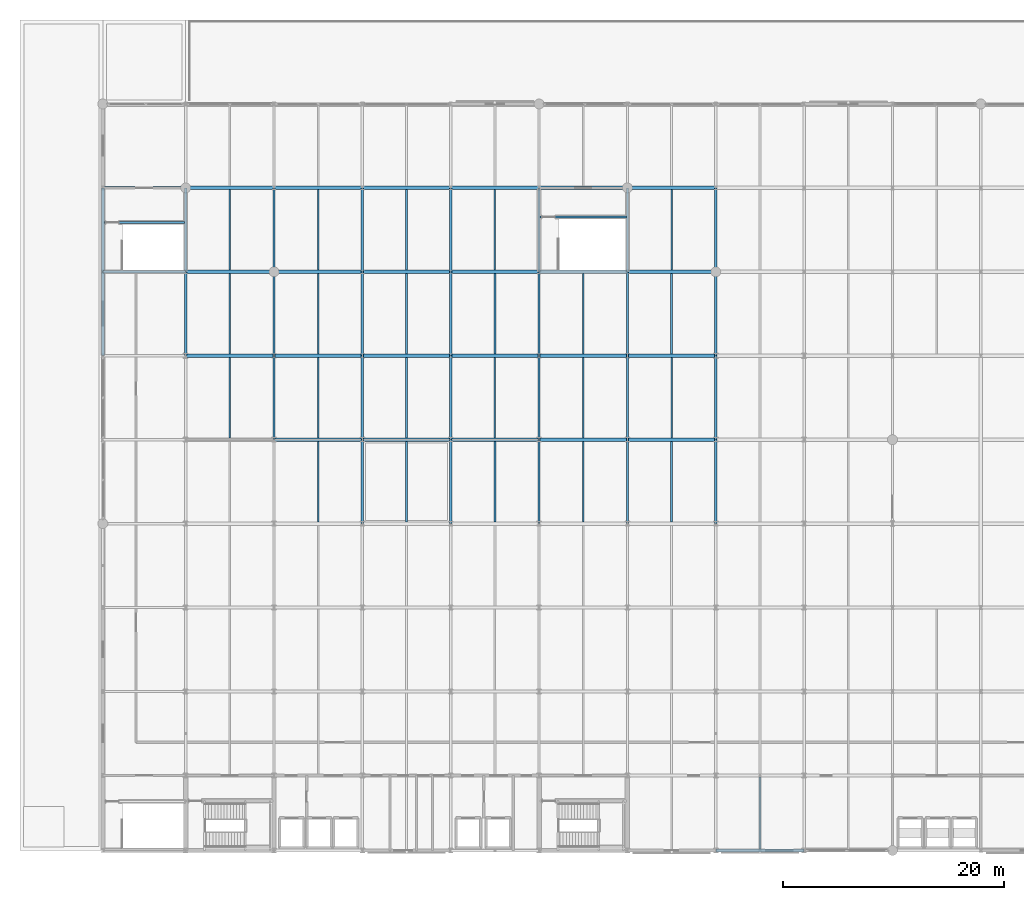
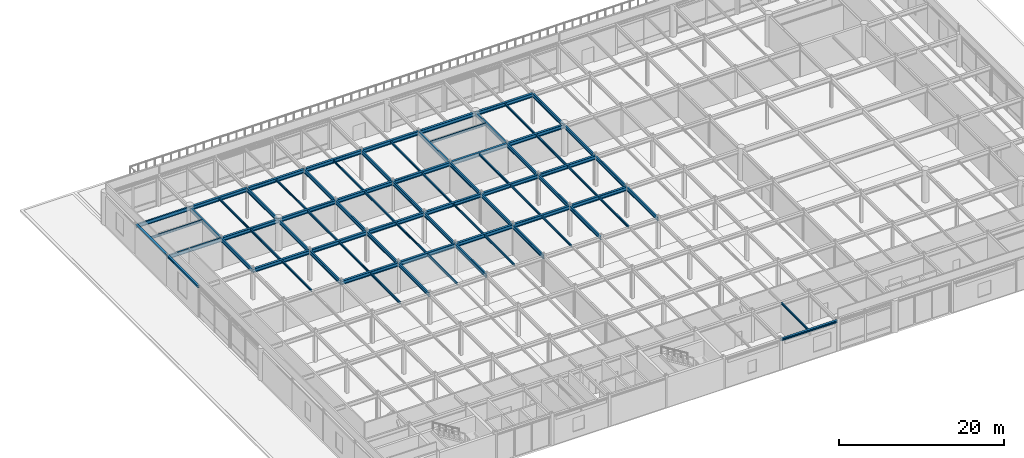
# One storey, part 16 of 43: 78 beams.
"""IFC4 building model written with IfcOpenShell, lengths in metres."""

from ifc_helpers import new_model, si_unit, direction, frame, origin, origin_2d, place, context, subcontext, project, spatial, i_section, extrude, material, material_profile, profile_set, type_object, element, save


model = new_model("IFC4")

# Units and contexts
model_context = context("Model", 3, precision=1e-05, world=origin(), true_north=direction((0.0, 1.0)))
body_context = subcontext(model_context, "Body", "Model", "MODEL_VIEW")
ifc_project = project(units=[si_unit("LENGTHUNIT", "METRE"), si_unit("AREAUNIT", "SQUARE_METRE"), si_unit("VOLUMEUNIT", "CUBIC_METRE"), si_unit("PLANEANGLEUNIT", "RADIAN"), si_unit("MASSUNIT", "GRAM", prefix="KILO")], contexts=[model_context])

# Site, building, storey
site_placement = place(None, origin())
site = spatial("IfcSite", under=ifc_project, at=site_placement, CompositionType="ELEMENT")
building_placement = place(site_placement, origin())
building = spatial("IfcBuilding", under=site, at=building_placement, Name="Shalkamar Park Central Library", CompositionType="ELEMENT")
storey_placement = place(building_placement, frame((0.0, 0.0, 15.60009765625)))
storey = spatial("IfcBuildingStorey", under=building, at=storey_placement, Name="L04", CompositionType="ELEMENT", Elevation=15.60009765625)

# Beams
ifc_material = material(Name="Steel S355", Category="steel")
ifc_material_profile_1 = material_profile(ifc_material, i_section(OverallWidth=0.14990234375, OverallDepth=0.300048828125, WebThickness=0.007080078125, FlangeThickness=0.0107421875, FilletRadius=0.014892578125, at=origin_2d()), Name="IPE 300")
ifc_profile_set_1 = profile_set([ifc_material_profile_1], Name="Steel S355")
beam_type_1 = type_object("IfcBeamType", Name="Composite Floor Joist IPE300", PredefinedType="JOIST", material=ifc_profile_set_1)
for number, where, z_axis, x_axis, name in (
    (1, (169.0, 285.748046875, 4.329833984375), (0.0, 1.0, 0.0), (-1.0, 0.0, 0.0), "Composite Joist 07/G-1 (L04)"),
    (2, (169.0, 300.947998046875, 4.329833984375), (0.0, 1.0, 0.0), (-1.0, 0.0, 0.0), "Composite Joist 07/J-1 (L04)"),
    (3, (177.0, 285.748046875, 4.329833984375), (0.0, 1.0, 0.0), (-1.0, 0.0, 0.0), "Composite Joist 08/G-1 (L04)"),
    (4, (177.0, 300.947998046875, 4.329833984375), (0.0, 1.0, 0.0), (-1.0, 0.0, 0.0), "Composite Joist 08/J-1 (L04)"),
    (5, (185.0, 285.748046875, 4.329833984375), (0.0, 1.0, 0.0), (-1.0, 0.0, 0.0), "Composite Joist 09/G-1 (L04)"),
    (6, (185.0, 300.947998046875, 4.329833984375), (0.0, 1.0, 0.0), (-1.0, 0.0, 0.0), "Composite Joist 09/J-1 (L04)"),
    (7, (193.0, 285.748046875, 4.329833984375), (0.0, 1.0, 0.0), (-1.0, 0.0, 0.0), "Composite Joist 10/G-1 (L04)"),
    (8, (193.0, 300.947998046875, 4.329833984375), (0.0, 1.0, 0.0), (-1.0, 0.0, 0.0), "Composite Joist 10/J-1 (L04)"),
    (9, (201.0, 285.748046875, 4.329833984375), (0.0, 1.0, 0.0), (-1.0, 0.0, 0.0), "Composite Joist 11/G-1 (L04)"),
    (10, (209.0, 285.748046875, 4.329833984375), (0.0, 1.0, 0.0), (-1.0, 0.0, 0.0), "Composite Joist 12/G-1 (L04)"),
    (11, (209.0, 300.947998046875, 4.329833984375), (0.0, 1.0, 0.0), (-1.0, 0.0, 0.0), "Composite Joist 12/J-1 (L04)"),
):
    element("IfcBeam", number, at=place(storey_placement, frame(where, z_axis=z_axis, x_axis=x_axis)), inside=storey, type_object=beam_type_1, Name=name, PredefinedType="JOIST", context=body_context, shape_type="SweptSolid", body=[
        extrude(i_section(OverallWidth=0.14990234375, OverallDepth=0.300048828125, WebThickness=0.007080078125, FlangeThickness=0.0107421875, FilletRadius=0.014892578125, at=origin_2d()), origin(), (0.0, 0.0, 1.0), 7.303955078125),
    ])
beam_1_placement = place(storey_placement, frame((217.0, 248.548095703125, 4.329833984375), z_axis=(0.0, 1.0, 0.0), x_axis=(-1.0, 0.0, 0.0)))
element("IfcBeam", 12, at=beam_1_placement, inside=storey, type_object=beam_type_1, Name="Composite Joist 13/B-1 (L04)", PredefinedType="JOIST", context=body_context, shape_type="SweptSolid", body=[
    extrude(i_section(OverallWidth=0.14990234375, OverallDepth=0.300048828125, WebThickness=0.007080078125, FlangeThickness=0.0107421875, FilletRadius=0.014892578125, at=origin_2d()), origin(), (0.0, 0.0, 1.0), 6.50390625),
])
ifc_material_profile_2 = material_profile(ifc_material, i_section(OverallWidth=0.159912109375, OverallDepth=0.330078125, WebThickness=0.007568359375, FlangeThickness=0.011474609375, FilletRadius=0.01806640625, at=origin_2d()), Name="IPE 330")
ifc_profile_set_2 = profile_set([ifc_material_profile_2], Name="Steel S355")
beam_type_2 = type_object("IfcBeamType", Name="Composite Floor Joist IPE330", PredefinedType="JOIST", material=ifc_profile_set_2)
beam_2_placement = place(storey_placement, frame((169.0, 293.347900390625, 4.31494140625), z_axis=(0.0, 1.0, 0.0), x_axis=(-1.0, 0.0, 0.0)))
element("IfcBeam", 13, at=beam_2_placement, inside=storey, type_object=beam_type_2, Name="Composite Joist 07/H-1 (L04)", PredefinedType="JOIST", context=body_context, shape_type="SweptSolid", body=[
    extrude(i_section(OverallWidth=0.159912109375, OverallDepth=0.330078125, WebThickness=0.007568359375, FlangeThickness=0.011474609375, FilletRadius=0.01806640625, at=origin_2d()), origin(), (0.0, 0.0, 1.0), 7.30419921875),
])
beam_3_placement = place(storey_placement, frame((177.0, 278.14794921875, 4.31494140625), z_axis=(0.0, 1.0, 0.0), x_axis=(-1.0, 0.0, 0.0)))
element("IfcBeam", 14, at=beam_3_placement, inside=storey, type_object=beam_type_2, Name="Composite Joist 08/F-1 (L04)", PredefinedType="JOIST", context=body_context, shape_type="SweptSolid", body=[
    extrude(i_section(OverallWidth=0.159912109375, OverallDepth=0.330078125, WebThickness=0.007568359375, FlangeThickness=0.011474609375, FilletRadius=0.01806640625, at=origin_2d()), origin(), (0.0, 0.0, 1.0), 7.303955078125),
])
beam_4_placement = place(storey_placement, frame((177.0, 293.347900390625, 4.31494140625), z_axis=(0.0, 1.0, 0.0), x_axis=(-1.0, 0.0, 0.0)))
element("IfcBeam", 15, at=beam_4_placement, inside=storey, type_object=beam_type_2, Name="Composite Joist 08/H-1 (L04)", PredefinedType="JOIST", context=body_context, shape_type="SweptSolid", body=[
    extrude(i_section(OverallWidth=0.159912109375, OverallDepth=0.330078125, WebThickness=0.007568359375, FlangeThickness=0.011474609375, FilletRadius=0.01806640625, at=origin_2d()), origin(), (0.0, 0.0, 1.0), 7.30419921875),
])
beam_5_placement = place(storey_placement, frame((185.0, 278.14794921875, 4.31494140625), z_axis=(0.0, 1.0, 0.0), x_axis=(-1.0, 0.0, 0.0)))
element("IfcBeam", 16, at=beam_5_placement, inside=storey, type_object=beam_type_2, Name="Composite Joist 09/F-1 (L04)", PredefinedType="JOIST", context=body_context, shape_type="SweptSolid", body=[
    extrude(i_section(OverallWidth=0.159912109375, OverallDepth=0.330078125, WebThickness=0.007568359375, FlangeThickness=0.011474609375, FilletRadius=0.01806640625, at=origin_2d()), origin(), (0.0, 0.0, 1.0), 7.303955078125),
])
beam_6_placement = place(storey_placement, frame((185.0, 293.347900390625, 4.31494140625), z_axis=(0.0, 1.0, 0.0), x_axis=(-1.0, 0.0, 0.0)))
element("IfcBeam", 17, at=beam_6_placement, inside=storey, type_object=beam_type_2, Name="Composite Joist 09/H-1 (L04)", PredefinedType="JOIST", context=body_context, shape_type="SweptSolid", body=[
    extrude(i_section(OverallWidth=0.159912109375, OverallDepth=0.330078125, WebThickness=0.007568359375, FlangeThickness=0.011474609375, FilletRadius=0.01806640625, at=origin_2d()), origin(), (0.0, 0.0, 1.0), 7.30419921875),
])
beam_7_placement = place(storey_placement, frame((193.0, 278.14794921875, 4.31494140625), z_axis=(0.0, 1.0, 0.0), x_axis=(-1.0, 0.0, 0.0)))
element("IfcBeam", 18, at=beam_7_placement, inside=storey, type_object=beam_type_2, Name="Composite Joist 10/F-1 (L04)", PredefinedType="JOIST", context=body_context, shape_type="SweptSolid", body=[
    extrude(i_section(OverallWidth=0.159912109375, OverallDepth=0.330078125, WebThickness=0.007568359375, FlangeThickness=0.011474609375, FilletRadius=0.01806640625, at=origin_2d()), origin(), (0.0, 0.0, 1.0), 7.303955078125),
])
beam_8_placement = place(storey_placement, frame((193.0, 293.347900390625, 4.31494140625), z_axis=(0.0, 1.0, 0.0), x_axis=(-1.0, 0.0, 0.0)))
element("IfcBeam", 19, at=beam_8_placement, inside=storey, type_object=beam_type_2, Name="Composite Joist 10/H-1 (L04)", PredefinedType="JOIST", context=body_context, shape_type="SweptSolid", body=[
    extrude(i_section(OverallWidth=0.159912109375, OverallDepth=0.330078125, WebThickness=0.007568359375, FlangeThickness=0.011474609375, FilletRadius=0.01806640625, at=origin_2d()), origin(), (0.0, 0.0, 1.0), 7.30419921875),
])
beam_9_placement = place(storey_placement, frame((201.0, 278.14794921875, 4.31494140625), z_axis=(0.0, 1.0, 0.0), x_axis=(-1.0, 0.0, 0.0)))
element("IfcBeam", 20, at=beam_9_placement, inside=storey, type_object=beam_type_2, Name="Composite Joist 11/F-1 (L04)", PredefinedType="JOIST", context=body_context, shape_type="SweptSolid", body=[
    extrude(i_section(OverallWidth=0.159912109375, OverallDepth=0.330078125, WebThickness=0.007568359375, FlangeThickness=0.011474609375, FilletRadius=0.01806640625, at=origin_2d()), origin(), (0.0, 0.0, 1.0), 7.303955078125),
])
beam_10_placement = place(storey_placement, frame((201.0, 293.347900390625, 4.31494140625), z_axis=(0.0, 1.0, 0.0), x_axis=(-1.0, 0.0, 0.0)))
element("IfcBeam", 21, at=beam_10_placement, inside=storey, type_object=beam_type_2, Name="Composite Joist 11/H-1 (L04)", PredefinedType="JOIST", context=body_context, shape_type="SweptSolid", body=[
    extrude(i_section(OverallWidth=0.159912109375, OverallDepth=0.330078125, WebThickness=0.007568359375, FlangeThickness=0.011474609375, FilletRadius=0.01806640625, at=origin_2d()), origin(), (0.0, 0.0, 1.0), 7.30419921875),
])
beam_11_placement = place(storey_placement, frame((209.0, 278.14794921875, 4.31494140625), z_axis=(0.0, 1.0, 0.0), x_axis=(-1.0, 0.0, 0.0)))
element("IfcBeam", 22, at=beam_11_placement, inside=storey, type_object=beam_type_2, Name="Composite Joist 12/F-1 (L04)", PredefinedType="JOIST", context=body_context, shape_type="SweptSolid", body=[
    extrude(i_section(OverallWidth=0.159912109375, OverallDepth=0.330078125, WebThickness=0.007568359375, FlangeThickness=0.011474609375, FilletRadius=0.01806640625, at=origin_2d()), origin(), (0.0, 0.0, 1.0), 7.303955078125),
])
beam_12_placement = place(storey_placement, frame((209.0, 293.347900390625, 4.31494140625), z_axis=(0.0, 1.0, 0.0), x_axis=(-1.0, 0.0, 0.0)))
element("IfcBeam", 23, at=beam_12_placement, inside=storey, type_object=beam_type_2, Name="Composite Joist 12/H-1 (L04)", PredefinedType="JOIST", context=body_context, shape_type="SweptSolid", body=[
    extrude(i_section(OverallWidth=0.159912109375, OverallDepth=0.330078125, WebThickness=0.007568359375, FlangeThickness=0.011474609375, FilletRadius=0.01806640625, at=origin_2d()), origin(), (0.0, 0.0, 1.0), 7.30419921875),
])
ifc_material_profile_3 = material_profile(ifc_material, i_section(OverallWidth=0.280029296875, OverallDepth=0.27001953125, WebThickness=0.008056640625, FlangeThickness=0.012939453125, FilletRadius=0.02392578125, at=origin_2d()), Name="HEA 280")
ifc_profile_set_3 = profile_set([ifc_material_profile_3], Name="Steel S355")
beam_type_3 = type_object("IfcBeamType", Name="Perimeter Spandrel Beam HEA280", PredefinedType="SPANDREL", material=ifc_profile_set_3)
beam_13_placement = place(storey_placement, frame((157.5, 293.199951171875, 4.414794921875), z_axis=(0.0, 1.0, 0.0), x_axis=(-1.0, 0.0, 0.0)))
element("IfcBeam", 24, at=beam_13_placement, inside=storey, type_object=beam_type_3, Name="Beam 06:H-J (L04)", PredefinedType="SPANDREL", context=body_context, shape_type="SweptSolid", body=[
    extrude(i_section(OverallWidth=0.280029296875, OverallDepth=0.27001953125, WebThickness=0.008056640625, FlangeThickness=0.012939453125, FilletRadius=0.02392578125, at=origin_2d()), origin(), (0.0, 0.0, 1.0), 7.60009765625),
])
beam_14_placement = place(storey_placement, frame((157.5, 300.800048828125, 4.414794921875), z_axis=(0.0, 1.0, 0.0), x_axis=(-1.0, 0.0, 0.0)))
element("IfcBeam", 25, at=beam_14_placement, inside=storey, type_object=beam_type_3, Name="Beam 06:J-K (L04)", PredefinedType="SPANDREL", context=body_context, shape_type="SweptSolid", body=[
    extrude(i_section(OverallWidth=0.280029296875, OverallDepth=0.27001953125, WebThickness=0.008056640625, FlangeThickness=0.012939453125, FilletRadius=0.02392578125, at=origin_2d()), origin(), (0.0, 0.0, 1.0), 7.599853515625),
])
ifc_material_profile_4 = material_profile(ifc_material, i_section(OverallWidth=0.300048828125, OverallDepth=0.31005859375, WebThickness=0.009033203125, FlangeThickness=0.015380859375, FilletRadius=0.027099609375, at=origin_2d()), Name="HEA 320")
ifc_profile_set_4 = profile_set([ifc_material_profile_4], Name="Steel S355")
beam_type_4 = type_object("IfcBeamType", Name="Perimeter Spandrel Beam HEA320", PredefinedType="SPANDREL", material=ifc_profile_set_4)
beam_15_placement = place(storey_placement, frame((213.0, 248.39990234375, 4.324951171875), z_axis=(1.0, 0.0, 0.0), x_axis=(0.0, 1.0, 0.0)))
element("IfcBeam", 26, at=beam_15_placement, inside=storey, type_object=beam_type_4, Name="Beam B:13-14 (L04)", PredefinedType="SPANDREL", context=body_context, shape_type="SweptSolid", body=[
    extrude(i_section(OverallWidth=0.300048828125, OverallDepth=0.31005859375, WebThickness=0.009033203125, FlangeThickness=0.015380859375, FilletRadius=0.027099609375, at=origin_2d()), origin(), (0.0, 0.0, 1.0), 8.0),
])
ifc_material_profile_5 = material_profile(ifc_material, i_section(OverallWidth=0.300048828125, OverallDepth=0.550048828125, WebThickness=0.014892578125, FlangeThickness=0.029052734375, FilletRadius=0.027099609375, at=origin_2d()), Name="HEB 550")
ifc_profile_set_5 = profile_set([ifc_material_profile_5], Name="Steel S355")
beam_type_5 = type_object("IfcBeamType", Name="Primary Girder HEB550", PredefinedType="BEAM", material=ifc_profile_set_5)
for number, where, z_axis, x_axis, name in (
    (27, (173.0, 285.60009765625, 4.204833984375), (1.0, 0.0, 0.0), (0.0, 1.0, 0.0), "Beam G:08-09 (L04)"),
    (28, (181.0, 285.60009765625, 4.204833984375), (1.0, 0.0, 0.0), (0.0, 1.0, 0.0), "Beam G:09-10 (L04)"),
    (29, (189.0, 285.60009765625, 4.204833984375), (1.0, 0.0, 0.0), (0.0, 1.0, 0.0), "Beam G:10-11 (L04)"),
    (30, (197.0, 285.60009765625, 4.204833984375), (1.0, 0.0, 0.0), (0.0, 1.0, 0.0), "Beam G:11-12 (L04)"),
    (31, (205.0, 285.60009765625, 4.204833984375), (1.0, 0.0, 0.0), (0.0, 1.0, 0.0), "Beam G:12-13 (L04)"),
    (32, (165.0, 293.199951171875, 4.204833984375), (1.0, 0.0, 0.0), (0.0, 1.0, 0.0), "Beam H:07-08 (L04)"),
    (33, (173.0, 293.199951171875, 4.204833984375), (1.0, 0.0, 0.0), (0.0, 1.0, 0.0), "Beam H:08-09 (L04)"),
    (34, (181.0, 293.199951171875, 4.204833984375), (1.0, 0.0, 0.0), (0.0, 1.0, 0.0), "Beam H:09-10 (L04)"),
    (35, (189.0, 293.199951171875, 4.204833984375), (1.0, 0.0, 0.0), (0.0, 1.0, 0.0), "Beam H:10-11 (L04)"),
    (36, (197.0, 293.199951171875, 4.204833984375), (1.0, 0.0, 0.0), (0.0, 1.0, 0.0), "Beam H:11-12 (L04)"),
    (37, (205.0, 293.199951171875, 4.204833984375), (1.0, 0.0, 0.0), (0.0, 1.0, 0.0), "Beam H:12-13 (L04)"),
    (38, (165.0, 300.800048828125, 4.204833984375), (1.0, 0.0, 0.0), (0.0, 1.0, 0.0), "Beam J:07-08 (L04)"),
    (39, (173.0, 300.800048828125, 4.204833984375), (1.0, 0.0, 0.0), (0.0, 1.0, 0.0), "Beam J:08-09 (L04)"),
    (40, (181.0, 300.800048828125, 4.204833984375), (1.0, 0.0, 0.0), (0.0, 1.0, 0.0), "Beam J:09-10 (L04)"),
    (41, (189.0, 300.800048828125, 4.204833984375), (1.0, 0.0, 0.0), (0.0, 1.0, 0.0), "Beam J:10-11 (L04)"),
    (42, (197.0, 300.800048828125, 4.204833984375), (1.0, 0.0, 0.0), (0.0, 1.0, 0.0), "Beam J:11-12 (L04)"),
    (43, (205.0, 300.800048828125, 4.204833984375), (1.0, 0.0, 0.0), (0.0, 1.0, 0.0), "Beam J:12-13 (L04)"),
    (44, (165.0, 308.39990234375, 4.204833984375), (1.0, 0.0, 0.0), (0.0, 1.0, 0.0), "Beam K:07-08 (L04)"),
    (45, (173.0, 308.39990234375, 4.204833984375), (1.0, 0.0, 0.0), (0.0, 1.0, 0.0), "Beam K:08-09 (L04)"),
    (46, (181.0, 308.39990234375, 4.204833984375), (1.0, 0.0, 0.0), (0.0, 1.0, 0.0), "Beam K:09-10 (L04)"),
    (47, (189.0, 308.39990234375, 4.204833984375), (1.0, 0.0, 0.0), (0.0, 1.0, 0.0), "Beam K:10-11 (L04)"),
    (48, (197.0, 308.39990234375, 4.204833984375), (1.0, 0.0, 0.0), (0.0, 1.0, 0.0), "Beam K:11-12 (L04)"),
    (49, (205.0, 308.39990234375, 4.204833984375), (1.0, 0.0, 0.0), (0.0, 1.0, 0.0), "Beam K:12-13 (L04)"),
):
    element("IfcBeam", number, at=place(storey_placement, frame(where, z_axis=z_axis, x_axis=x_axis)), inside=storey, type_object=beam_type_5, Name=name, PredefinedType="BEAM", context=body_context, shape_type="SweptSolid", body=[
        extrude(i_section(OverallWidth=0.300048828125, OverallDepth=0.550048828125, WebThickness=0.014892578125, FlangeThickness=0.029052734375, FilletRadius=0.027099609375, at=origin_2d()), origin(), (0.0, 0.0, 1.0), 8.0),
    ])
ifc_material_profile_6 = material_profile(ifc_material, i_section(OverallWidth=0.169921875, OverallDepth=0.360107421875, WebThickness=0.008056640625, FlangeThickness=0.0126953125, FilletRadius=0.01806640625, at=origin_2d()), Name="IPE 360")
ifc_profile_set_6 = profile_set([ifc_material_profile_6], Name="Steel S355")
beam_type_6 = type_object("IfcBeamType", Name="Primary Girder IPE360", PredefinedType="BEAM", material=ifc_profile_set_6)
beam_16_placement = place(storey_placement, frame((157.587890625, 305.25, 4.2998046875), z_axis=(1.0, 0.0, 0.0), x_axis=(0.0, 1.0, 0.0)))
element("IfcBeam", 50, at=beam_16_placement, inside=storey, type_object=beam_type_6, Name="CORE-P2 Stairwell Divider Beam (L04)", PredefinedType="BEAM", context=body_context, shape_type="SweptSolid", body=[
    extrude(i_section(OverallWidth=0.169921875, OverallDepth=0.360107421875, WebThickness=0.008056640625, FlangeThickness=0.0126953125, FilletRadius=0.01806640625, at=origin_2d()), origin(), (0.0, 0.0, 1.0), 7.32421875),
])
beam_17_placement = place(storey_placement, frame((197.087890625, 305.75, 4.2998046875), z_axis=(1.0, 0.0, 0.0), x_axis=(0.0, 1.0, 0.0)))
element("IfcBeam", 51, at=beam_17_placement, inside=storey, type_object=beam_type_6, Name="CORE-P7 Stairwell Divider Beam (L04)", PredefinedType="BEAM", context=body_context, shape_type="SweptSolid", body=[
    extrude(i_section(OverallWidth=0.169921875, OverallDepth=0.360107421875, WebThickness=0.008056640625, FlangeThickness=0.0126953125, FilletRadius=0.01806640625, at=origin_2d()), origin(), (0.0, 0.0, 1.0), 7.82421875),
])
ifc_material_profile_7 = material_profile(ifc_material, i_section(OverallWidth=0.2099609375, OverallDepth=0.550048828125, WebThickness=0.010986328125, FlangeThickness=0.01708984375, FilletRadius=0.02392578125, at=origin_2d()), Name="IPE 550")
ifc_profile_set_7 = profile_set([ifc_material_profile_7], Name="Steel S355")
beam_type_7 = type_object("IfcBeamType", Name="Primary Girder IPE550", PredefinedType="BEAM", material=ifc_profile_set_7)
for number, where, z_axis, x_axis, name in (
    (52, (157.5, 300.800048828125, 4.204833984375), (1.0, 0.0, 0.0), (0.0, 1.0, 0.0), "Beam J:06-07 (L04)"),
    (53, (157.5, 308.39990234375, 4.204833984375), (1.0, 0.0, 0.0), (0.0, 1.0, 0.0), "Beam K:06-07 (L04)"),
):
    element("IfcBeam", number, at=place(storey_placement, frame(where, z_axis=z_axis, x_axis=x_axis)), inside=storey, type_object=beam_type_7, Name=name, PredefinedType="BEAM", context=body_context, shape_type="SweptSolid", body=[
        extrude(i_section(OverallWidth=0.2099609375, OverallDepth=0.550048828125, WebThickness=0.010986328125, FlangeThickness=0.01708984375, FilletRadius=0.02392578125, at=origin_2d()), origin(), (0.0, 0.0, 1.0), 7.5),
    ])
beam_18_placement = place(storey_placement, frame((165.0, 293.199951171875, 4.204833984375), z_axis=(0.0, 1.0, 0.0), x_axis=(-1.0, 0.0, 0.0)))
element("IfcBeam", 54, at=beam_18_placement, inside=storey, type_object=beam_type_7, Name="Beam 07:H-J (L04)", PredefinedType="BEAM", context=body_context, shape_type="SweptSolid", body=[
    extrude(i_section(OverallWidth=0.2099609375, OverallDepth=0.550048828125, WebThickness=0.010986328125, FlangeThickness=0.01708984375, FilletRadius=0.02392578125, at=origin_2d()), origin(), (0.0, 0.0, 1.0), 7.60009765625),
])
for number, where, z_axis, x_axis, name in (
    (55, (165.0, 300.800048828125, 4.204833984375), (0.0, 1.0, 0.0), (-1.0, 0.0, 0.0), "Beam 07:J-K (L04)"),
    (56, (173.0, 285.60009765625, 4.204833984375), (0.0, 1.0, 0.0), (-1.0, 0.0, 0.0), "Beam 08:G-H (L04)"),
):
    element("IfcBeam", number, at=place(storey_placement, frame(where, z_axis=z_axis, x_axis=x_axis)), inside=storey, type_object=beam_type_7, Name=name, PredefinedType="BEAM", context=body_context, shape_type="SweptSolid", body=[
        extrude(i_section(OverallWidth=0.2099609375, OverallDepth=0.550048828125, WebThickness=0.010986328125, FlangeThickness=0.01708984375, FilletRadius=0.02392578125, at=origin_2d()), origin(), (0.0, 0.0, 1.0), 7.599853515625),
    ])
beam_19_placement = place(storey_placement, frame((173.0, 293.199951171875, 4.204833984375), z_axis=(0.0, 1.0, 0.0), x_axis=(-1.0, 0.0, 0.0)))
element("IfcBeam", 57, at=beam_19_placement, inside=storey, type_object=beam_type_7, Name="Beam 08:H-J (L04)", PredefinedType="BEAM", context=body_context, shape_type="SweptSolid", body=[
    extrude(i_section(OverallWidth=0.2099609375, OverallDepth=0.550048828125, WebThickness=0.010986328125, FlangeThickness=0.01708984375, FilletRadius=0.02392578125, at=origin_2d()), origin(), (0.0, 0.0, 1.0), 7.60009765625),
])
beam_20_placement = place(storey_placement, frame((173.0, 300.800048828125, 4.204833984375), z_axis=(0.0, 1.0, 0.0), x_axis=(-1.0, 0.0, 0.0)))
element("IfcBeam", 58, at=beam_20_placement, inside=storey, type_object=beam_type_7, Name="Beam 08:J-K (L04)", PredefinedType="BEAM", context=body_context, shape_type="SweptSolid", body=[
    extrude(i_section(OverallWidth=0.2099609375, OverallDepth=0.550048828125, WebThickness=0.010986328125, FlangeThickness=0.01708984375, FilletRadius=0.02392578125, at=origin_2d()), origin(), (0.0, 0.0, 1.0), 7.599853515625),
])
beam_21_placement = place(storey_placement, frame((181.0, 278.0, 4.204833984375), z_axis=(0.0, 1.0, 0.0), x_axis=(-1.0, 0.0, 0.0)))
element("IfcBeam", 59, at=beam_21_placement, inside=storey, type_object=beam_type_7, Name="Beam 09:F-G (L04)", PredefinedType="BEAM", context=body_context, shape_type="SweptSolid", body=[
    extrude(i_section(OverallWidth=0.2099609375, OverallDepth=0.550048828125, WebThickness=0.010986328125, FlangeThickness=0.01708984375, FilletRadius=0.02392578125, at=origin_2d()), origin(), (0.0, 0.0, 1.0), 7.60009765625),
])
beam_22_placement = place(storey_placement, frame((181.0, 285.60009765625, 4.204833984375), z_axis=(0.0, 1.0, 0.0), x_axis=(-1.0, 0.0, 0.0)))
element("IfcBeam", 60, at=beam_22_placement, inside=storey, type_object=beam_type_7, Name="Beam 09:G-H (L04)", PredefinedType="BEAM", context=body_context, shape_type="SweptSolid", body=[
    extrude(i_section(OverallWidth=0.2099609375, OverallDepth=0.550048828125, WebThickness=0.010986328125, FlangeThickness=0.01708984375, FilletRadius=0.02392578125, at=origin_2d()), origin(), (0.0, 0.0, 1.0), 7.599853515625),
])
beam_23_placement = place(storey_placement, frame((181.0, 293.199951171875, 4.204833984375), z_axis=(0.0, 1.0, 0.0), x_axis=(-1.0, 0.0, 0.0)))
element("IfcBeam", 61, at=beam_23_placement, inside=storey, type_object=beam_type_7, Name="Beam 09:H-J (L04)", PredefinedType="BEAM", context=body_context, shape_type="SweptSolid", body=[
    extrude(i_section(OverallWidth=0.2099609375, OverallDepth=0.550048828125, WebThickness=0.010986328125, FlangeThickness=0.01708984375, FilletRadius=0.02392578125, at=origin_2d()), origin(), (0.0, 0.0, 1.0), 7.60009765625),
])
beam_24_placement = place(storey_placement, frame((181.0, 300.800048828125, 4.204833984375), z_axis=(0.0, 1.0, 0.0), x_axis=(-1.0, 0.0, 0.0)))
element("IfcBeam", 62, at=beam_24_placement, inside=storey, type_object=beam_type_7, Name="Beam 09:J-K (L04)", PredefinedType="BEAM", context=body_context, shape_type="SweptSolid", body=[
    extrude(i_section(OverallWidth=0.2099609375, OverallDepth=0.550048828125, WebThickness=0.010986328125, FlangeThickness=0.01708984375, FilletRadius=0.02392578125, at=origin_2d()), origin(), (0.0, 0.0, 1.0), 7.599853515625),
])
beam_25_placement = place(storey_placement, frame((189.0, 278.0, 4.204833984375), z_axis=(0.0, 1.0, 0.0), x_axis=(-1.0, 0.0, 0.0)))
element("IfcBeam", 63, at=beam_25_placement, inside=storey, type_object=beam_type_7, Name="Beam 10:F-G (L04)", PredefinedType="BEAM", context=body_context, shape_type="SweptSolid", body=[
    extrude(i_section(OverallWidth=0.2099609375, OverallDepth=0.550048828125, WebThickness=0.010986328125, FlangeThickness=0.01708984375, FilletRadius=0.02392578125, at=origin_2d()), origin(), (0.0, 0.0, 1.0), 7.60009765625),
])
beam_26_placement = place(storey_placement, frame((189.0, 285.60009765625, 4.204833984375), z_axis=(0.0, 1.0, 0.0), x_axis=(-1.0, 0.0, 0.0)))
element("IfcBeam", 64, at=beam_26_placement, inside=storey, type_object=beam_type_7, Name="Beam 10:G-H (L04)", PredefinedType="BEAM", context=body_context, shape_type="SweptSolid", body=[
    extrude(i_section(OverallWidth=0.2099609375, OverallDepth=0.550048828125, WebThickness=0.010986328125, FlangeThickness=0.01708984375, FilletRadius=0.02392578125, at=origin_2d()), origin(), (0.0, 0.0, 1.0), 7.599853515625),
])
beam_27_placement = place(storey_placement, frame((189.0, 293.199951171875, 4.204833984375), z_axis=(0.0, 1.0, 0.0), x_axis=(-1.0, 0.0, 0.0)))
element("IfcBeam", 65, at=beam_27_placement, inside=storey, type_object=beam_type_7, Name="Beam 10:H-J (L04)", PredefinedType="BEAM", context=body_context, shape_type="SweptSolid", body=[
    extrude(i_section(OverallWidth=0.2099609375, OverallDepth=0.550048828125, WebThickness=0.010986328125, FlangeThickness=0.01708984375, FilletRadius=0.02392578125, at=origin_2d()), origin(), (0.0, 0.0, 1.0), 7.60009765625),
])
beam_28_placement = place(storey_placement, frame((189.0, 300.800048828125, 4.204833984375), z_axis=(0.0, 1.0, 0.0), x_axis=(-1.0, 0.0, 0.0)))
element("IfcBeam", 66, at=beam_28_placement, inside=storey, type_object=beam_type_7, Name="Beam 10:J-K (L04)", PredefinedType="BEAM", context=body_context, shape_type="SweptSolid", body=[
    extrude(i_section(OverallWidth=0.2099609375, OverallDepth=0.550048828125, WebThickness=0.010986328125, FlangeThickness=0.01708984375, FilletRadius=0.02392578125, at=origin_2d()), origin(), (0.0, 0.0, 1.0), 7.599853515625),
])
beam_29_placement = place(storey_placement, frame((197.0, 278.0, 4.204833984375), z_axis=(0.0, 1.0, 0.0), x_axis=(-1.0, 0.0, 0.0)))
element("IfcBeam", 67, at=beam_29_placement, inside=storey, type_object=beam_type_7, Name="Beam 11:F-G (L04)", PredefinedType="BEAM", context=body_context, shape_type="SweptSolid", body=[
    extrude(i_section(OverallWidth=0.2099609375, OverallDepth=0.550048828125, WebThickness=0.010986328125, FlangeThickness=0.01708984375, FilletRadius=0.02392578125, at=origin_2d()), origin(), (0.0, 0.0, 1.0), 7.60009765625),
])
beam_30_placement = place(storey_placement, frame((197.0, 285.60009765625, 4.204833984375), z_axis=(0.0, 1.0, 0.0), x_axis=(-1.0, 0.0, 0.0)))
element("IfcBeam", 68, at=beam_30_placement, inside=storey, type_object=beam_type_7, Name="Beam 11:G-H (L04)", PredefinedType="BEAM", context=body_context, shape_type="SweptSolid", body=[
    extrude(i_section(OverallWidth=0.2099609375, OverallDepth=0.550048828125, WebThickness=0.010986328125, FlangeThickness=0.01708984375, FilletRadius=0.02392578125, at=origin_2d()), origin(), (0.0, 0.0, 1.0), 7.599853515625),
])
beam_31_placement = place(storey_placement, frame((197.0, 293.199951171875, 4.204833984375), z_axis=(0.0, 1.0, 0.0), x_axis=(-1.0, 0.0, 0.0)))
element("IfcBeam", 69, at=beam_31_placement, inside=storey, type_object=beam_type_7, Name="Beam 11:H-J (L04)", PredefinedType="BEAM", context=body_context, shape_type="SweptSolid", body=[
    extrude(i_section(OverallWidth=0.2099609375, OverallDepth=0.550048828125, WebThickness=0.010986328125, FlangeThickness=0.01708984375, FilletRadius=0.02392578125, at=origin_2d()), origin(), (0.0, 0.0, 1.0), 7.60009765625),
])
beam_32_placement = place(storey_placement, frame((197.0, 300.800048828125, 4.204833984375), z_axis=(0.0, 1.0, 0.0), x_axis=(-1.0, 0.0, 0.0)))
element("IfcBeam", 70, at=beam_32_placement, inside=storey, type_object=beam_type_7, Name="Beam 11:J-K (L04)", PredefinedType="BEAM", context=body_context, shape_type="SweptSolid", body=[
    extrude(i_section(OverallWidth=0.2099609375, OverallDepth=0.550048828125, WebThickness=0.010986328125, FlangeThickness=0.01708984375, FilletRadius=0.02392578125, at=origin_2d()), origin(), (0.0, 0.0, 1.0), 7.599853515625),
])
beam_33_placement = place(storey_placement, frame((205.0, 278.0, 4.204833984375), z_axis=(0.0, 1.0, 0.0), x_axis=(-1.0, 0.0, 0.0)))
element("IfcBeam", 71, at=beam_33_placement, inside=storey, type_object=beam_type_7, Name="Beam 12:F-G (L04)", PredefinedType="BEAM", context=body_context, shape_type="SweptSolid", body=[
    extrude(i_section(OverallWidth=0.2099609375, OverallDepth=0.550048828125, WebThickness=0.010986328125, FlangeThickness=0.01708984375, FilletRadius=0.02392578125, at=origin_2d()), origin(), (0.0, 0.0, 1.0), 7.60009765625),
])
beam_34_placement = place(storey_placement, frame((205.0, 285.60009765625, 4.204833984375), z_axis=(0.0, 1.0, 0.0), x_axis=(-1.0, 0.0, 0.0)))
element("IfcBeam", 72, at=beam_34_placement, inside=storey, type_object=beam_type_7, Name="Beam 12:G-H (L04)", PredefinedType="BEAM", context=body_context, shape_type="SweptSolid", body=[
    extrude(i_section(OverallWidth=0.2099609375, OverallDepth=0.550048828125, WebThickness=0.010986328125, FlangeThickness=0.01708984375, FilletRadius=0.02392578125, at=origin_2d()), origin(), (0.0, 0.0, 1.0), 7.599853515625),
])
beam_35_placement = place(storey_placement, frame((205.0, 293.199951171875, 4.204833984375), z_axis=(0.0, 1.0, 0.0), x_axis=(-1.0, 0.0, 0.0)))
element("IfcBeam", 73, at=beam_35_placement, inside=storey, type_object=beam_type_7, Name="Beam 12:H-J (L04)", PredefinedType="BEAM", context=body_context, shape_type="SweptSolid", body=[
    extrude(i_section(OverallWidth=0.2099609375, OverallDepth=0.550048828125, WebThickness=0.010986328125, FlangeThickness=0.01708984375, FilletRadius=0.02392578125, at=origin_2d()), origin(), (0.0, 0.0, 1.0), 7.60009765625),
])
beam_36_placement = place(storey_placement, frame((205.0, 300.800048828125, 4.204833984375), z_axis=(0.0, 1.0, 0.0), x_axis=(-1.0, 0.0, 0.0)))
element("IfcBeam", 74, at=beam_36_placement, inside=storey, type_object=beam_type_7, Name="Beam 12:J-K (L04)", PredefinedType="BEAM", context=body_context, shape_type="SweptSolid", body=[
    extrude(i_section(OverallWidth=0.2099609375, OverallDepth=0.550048828125, WebThickness=0.010986328125, FlangeThickness=0.01708984375, FilletRadius=0.02392578125, at=origin_2d()), origin(), (0.0, 0.0, 1.0), 7.599853515625),
])
beam_37_placement = place(storey_placement, frame((213.0, 278.0, 4.204833984375), z_axis=(0.0, 1.0, 0.0), x_axis=(-1.0, 0.0, 0.0)))
element("IfcBeam", 75, at=beam_37_placement, inside=storey, type_object=beam_type_7, Name="Beam 13:F-G (L04)", PredefinedType="BEAM", context=body_context, shape_type="SweptSolid", body=[
    extrude(i_section(OverallWidth=0.2099609375, OverallDepth=0.550048828125, WebThickness=0.010986328125, FlangeThickness=0.01708984375, FilletRadius=0.02392578125, at=origin_2d()), origin(), (0.0, 0.0, 1.0), 7.60009765625),
])
beam_38_placement = place(storey_placement, frame((213.0, 285.60009765625, 4.204833984375), z_axis=(0.0, 1.0, 0.0), x_axis=(-1.0, 0.0, 0.0)))
element("IfcBeam", 76, at=beam_38_placement, inside=storey, type_object=beam_type_7, Name="Beam 13:G-H (L04)", PredefinedType="BEAM", context=body_context, shape_type="SweptSolid", body=[
    extrude(i_section(OverallWidth=0.2099609375, OverallDepth=0.550048828125, WebThickness=0.010986328125, FlangeThickness=0.01708984375, FilletRadius=0.02392578125, at=origin_2d()), origin(), (0.0, 0.0, 1.0), 7.599853515625),
])
beam_39_placement = place(storey_placement, frame((213.0, 293.199951171875, 4.204833984375), z_axis=(0.0, 1.0, 0.0), x_axis=(-1.0, 0.0, 0.0)))
element("IfcBeam", 77, at=beam_39_placement, inside=storey, type_object=beam_type_7, Name="Beam 13:H-J (L04)", PredefinedType="BEAM", context=body_context, shape_type="SweptSolid", body=[
    extrude(i_section(OverallWidth=0.2099609375, OverallDepth=0.550048828125, WebThickness=0.010986328125, FlangeThickness=0.01708984375, FilletRadius=0.02392578125, at=origin_2d()), origin(), (0.0, 0.0, 1.0), 7.60009765625),
])
beam_40_placement = place(storey_placement, frame((213.0, 300.800048828125, 4.204833984375), z_axis=(0.0, 1.0, 0.0), x_axis=(-1.0, 0.0, 0.0)))
element("IfcBeam", 78, at=beam_40_placement, inside=storey, type_object=beam_type_7, Name="Beam 13:J-K (L04)", PredefinedType="BEAM", context=body_context, shape_type="SweptSolid", body=[
    extrude(i_section(OverallWidth=0.2099609375, OverallDepth=0.550048828125, WebThickness=0.010986328125, FlangeThickness=0.01708984375, FilletRadius=0.02392578125, at=origin_2d()), origin(), (0.0, 0.0, 1.0), 7.599853515625),
])

save(model, "model.ifc")
